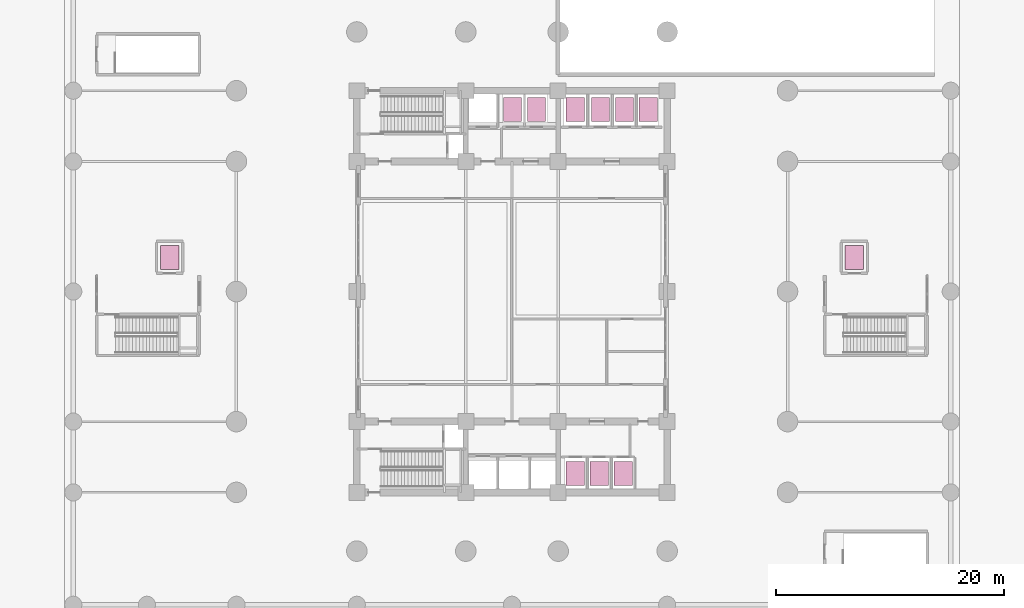
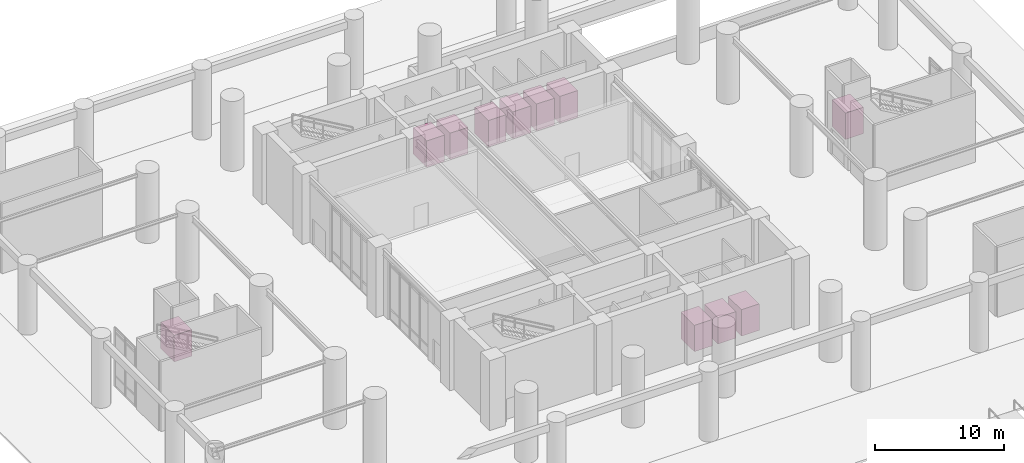
# One storey, part 16 of 16: 11 transport elements.
"""IFC4 building model written with IfcOpenShell, lengths in metres."""

from ifc_helpers import new_model, si_unit, direction, frame, origin, origin_2d, place, context, subcontext, project, spatial, rectangle, extrude, material, type_object, element, save


model = new_model("IFC4")

# Units and contexts
model_context = context("Model", 3, precision=1e-05, world=origin(), true_north=direction((0.0, 1.0)))
body_context = subcontext(model_context, "Body", "Model", "MODEL_VIEW")
ifc_project = project(units=[si_unit("LENGTHUNIT", "METRE"), si_unit("AREAUNIT", "SQUARE_METRE"), si_unit("VOLUMEUNIT", "CUBIC_METRE"), si_unit("PLANEANGLEUNIT", "RADIAN"), si_unit("MASSUNIT", "GRAM", prefix="KILO")], contexts=[model_context])

# Site, building, storey
site_placement = place(None, origin())
site = spatial("IfcSite", under=ifc_project, at=site_placement, CompositionType="ELEMENT")
building_placement = place(site_placement, origin())
building = spatial("IfcBuilding", under=site, at=building_placement, Name="Svetorya Sky Lyceum", CompositionType="ELEMENT")
storey_placement = place(building_placement, origin())
storey = spatial("IfcBuildingStorey", under=building, at=storey_placement, Name="L00", CompositionType="ELEMENT", Elevation=0.0)

# Transport elements
ifc_material = material(Name="Brushed stainless AISI 304 cab")
transport_element_type_1 = type_object("IfcTransportElementType", Name="LFT-HIGH-1800", PredefinedType="ELEVATOR", material=ifc_material)
for number, where, z_axis, x_axis, name in (
    (1, (46.949951171875, 44.14990234375, 0.0), (0.0, 0.0, 1.0), (1.0, 0.0, 0.0), "High-Rise Passenger Lift PH1 (PH1)"),
    (2, (49.050048828125, 44.14990234375, 0.0), (0.0, 0.0, 1.0), (1.0, 0.0, 0.0), "High-Rise Passenger Lift PH2 (PH2)"),
    (3, (51.14990234375, 44.14990234375, 0.0), (0.0, 0.0, 1.0), (1.0, 0.0, 0.0), "High-Rise Passenger Lift PH3 (PH3)"),
):
    element("IfcTransportElement", number, at=place(storey_placement, frame(where, z_axis=z_axis, x_axis=x_axis)), inside=storey, type_object=transport_element_type_1, Name=name, PredefinedType="ELEVATOR", context=body_context, shape_type="SweptSolid", body=[
        extrude(rectangle(XDim=1.60009765625, YDim=2.10009765625, at=origin_2d()), origin(), (0.0, 0.0, 1.0), 2.550048828125),
    ])
transport_element_type_2 = type_object("IfcTransportElementType", Name="LFT-LOW-1600", PredefinedType="ELEVATOR", material=ifc_material)
for number, where, z_axis, x_axis, name in (
    (4, (44.75, 12.25, 0.0), (0.0, 0.0, 1.0), (1.0, 0.0, 0.0), "Low-Rise Passenger Lift PL1 (PL1)"),
    (5, (46.85009765625, 12.25, 0.0), (0.0, 0.0, 1.0), (1.0, 0.0, 0.0), "Low-Rise Passenger Lift PL2 (PL2)"),
    (6, (48.949951171875, 12.25, 0.0), (0.0, 0.0, 1.0), (1.0, 0.0, 0.0), "Low-Rise Passenger Lift PL3 (PL3)"),
    (7, (9.199951171875, 31.199951171875, 0.0), (0.0, 0.0, 1.0), (1.0, 0.0, 0.0), "West Lyceum Passenger Lift SCHL1 (SCHL1)"),
    (8, (69.199951171875, 31.199951171875, 0.0), (0.0, 0.0, 1.0), (1.0, 0.0, 0.0), "East Lyceum Passenger Lift SCHL2 (SCHL2)"),
):
    element("IfcTransportElement", number, at=place(storey_placement, frame(where, z_axis=z_axis, x_axis=x_axis)), inside=storey, type_object=transport_element_type_2, Name=name, PredefinedType="ELEVATOR", context=body_context, shape_type="SweptSolid", body=[
        extrude(rectangle(XDim=1.60009765625, YDim=2.10009765625, at=origin_2d()), origin(), (0.0, 0.0, 1.0), 2.5),
    ])
transport_element_type_3 = type_object("IfcTransportElementType", Name="LFT-MID-1600", PredefinedType="ELEVATOR", material=ifc_material)
for number, where, z_axis, x_axis, name in (
    (9, (39.25, 44.14990234375, 0.0), (0.0, 0.0, 1.0), (1.0, 0.0, 0.0), "Mid-Rise Passenger Lift PM1 (PM1)"),
    (10, (41.35009765625, 44.14990234375, 0.0), (0.0, 0.0, 1.0), (1.0, 0.0, 0.0), "Mid-Rise Passenger Lift PM2 (PM2)"),
    (11, (44.75, 44.14990234375, 0.0), (0.0, 0.0, 1.0), (1.0, 0.0, 0.0), "Mid-Rise Passenger Lift PM3 (PM3)"),
):
    element("IfcTransportElement", number, at=place(storey_placement, frame(where, z_axis=z_axis, x_axis=x_axis)), inside=storey, type_object=transport_element_type_3, Name=name, PredefinedType="ELEVATOR", context=body_context, shape_type="SweptSolid", body=[
        extrude(rectangle(XDim=1.60009765625, YDim=2.10009765625, at=origin_2d()), origin(), (0.0, 0.0, 1.0), 2.5),
    ])

save(model, "model.ifc")
